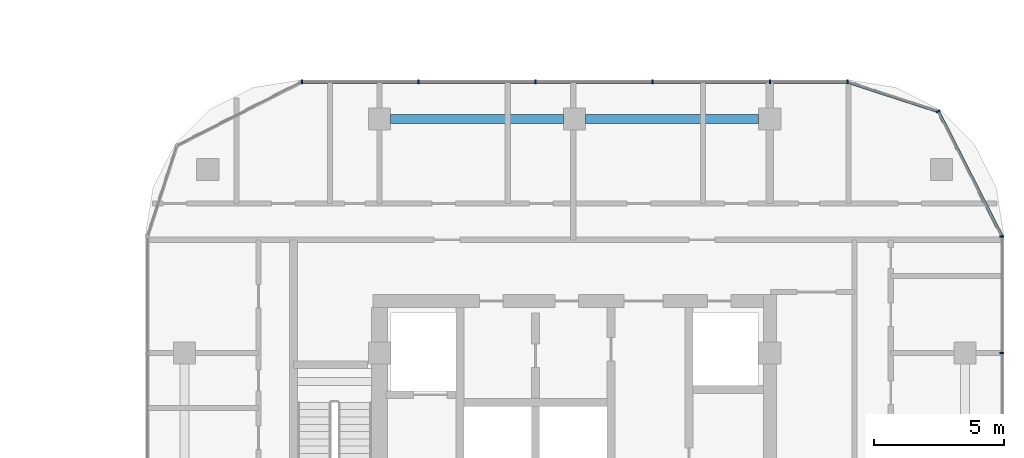
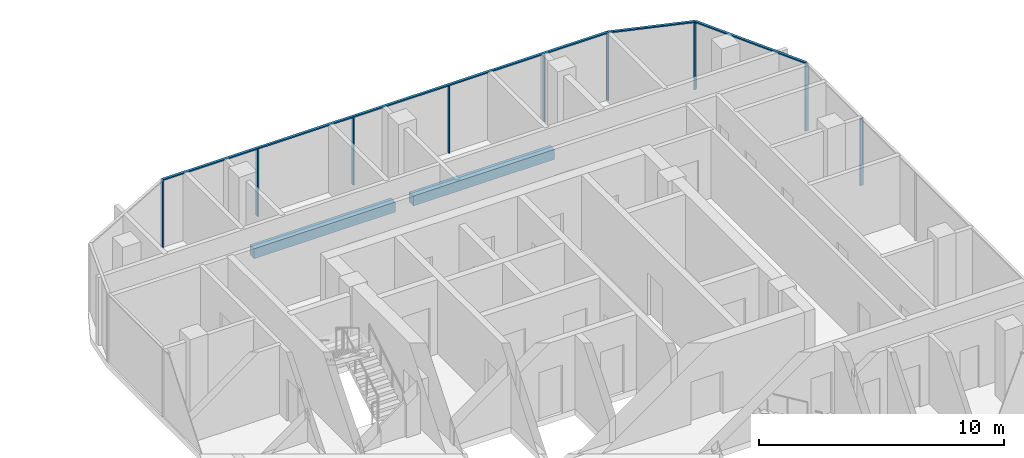
# One storey, part 11 of 31: 12 members, 2 beams, 3 elements without a shape of their own.
"""IFC4 building model written with IfcOpenShell, lengths in metres."""

from ifc_helpers import new_model, si_unit, direction, frame, origin, origin_2d, place, context, subcontext, project, spatial, rectangle, extrude, material, material_profile, profile_set, type_object, element, aggregate, save


model = new_model("IFC4")

# Units and contexts
model_context = context("Model", 3, precision=1e-05, world=origin(), true_north=direction((0.0, 1.0)))
body_context = subcontext(model_context, "Body", "Model", "MODEL_VIEW")
ifc_project = project(units=[si_unit("LENGTHUNIT", "METRE"), si_unit("AREAUNIT", "SQUARE_METRE"), si_unit("VOLUMEUNIT", "CUBIC_METRE"), si_unit("PLANEANGLEUNIT", "RADIAN"), si_unit("MASSUNIT", "GRAM", prefix="KILO")], contexts=[model_context])

# Site, building, storey
site_placement = place(None, origin())
site = spatial("IfcSite", under=ifc_project, at=site_placement, CompositionType="ELEMENT")
building_placement = place(site_placement, origin())
building = spatial("IfcBuilding", under=site, at=building_placement, Name="Ogive Portal Towers", CompositionType="ELEMENT")
storey_placement = place(building_placement, frame((0.0, 0.0, 74.199951171875)))
storey = spatial("IfcBuildingStorey", under=building, at=storey_placement, Name="L17", CompositionType="ELEMENT", Elevation=74.199951171875)

# Curtain wall, members
ifc_material_1 = material(Name="Glass, clear low-iron insulated glazing", Category="glass")
curtain_wall_type = type_object("IfcCurtainWallType", Name="CW RESIDENCES RIBBON", PredefinedType="NOTDEFINED", material=ifc_material_1)
curtain_wall_1_placement = place(storey_placement, origin())
curtain_wall_1 = element("IfcCurtainWall", 1, at=curtain_wall_1_placement, inside=storey, type_object=curtain_wall_type, Name="B:L17:f05:cw0", PredefinedType="NOTDEFINED")
ifc_material_2 = material(Name="Aluminium 6063 anodised", Category="aluminium")
ifc_material_profile_1 = material_profile(ifc_material_2, rectangle(XDim=0.159912109375, YDim=0.06005859375, at=origin_2d()), Name="AL 60x160")
ifc_profile_set_1 = profile_set([ifc_material_profile_1], Name="Aluminium 6063 anodised")
member_type_1 = type_object("IfcMemberType", Name="CW MULLION 60x160", PredefinedType="MULLION", material=ifc_profile_set_1)
member_1_placement = place(storey_placement, frame((152.919921875, 35.5, 0.0), z_axis=(0.0, 0.0, 1.0), x_axis=(-1.0, 0.0, 0.0)))
member_1 = element("IfcMember", 2, at=member_1_placement, type_object=member_type_1, Name="mullion", PredefinedType="MULLION", context=body_context, shape_type="SweptSolid", body=[
    extrude(rectangle(XDim=0.159912109375, YDim=0.06005859375, at=origin_2d()), origin(), (0.0, 0.0, 1.0), 3.340087890625),
])
member_2_placement = place(storey_placement, frame((152.919921875, 39.980712890625, 0.0), z_axis=(0.0, 0.0, 1.0), x_axis=(-1.0, 0.0, 0.0)))
member_2 = element("IfcMember", 3, at=member_2_placement, type_object=member_type_1, Name="mullion", PredefinedType="MULLION", context=body_context, shape_type="SweptSolid", body=[
    extrude(rectangle(XDim=0.159912109375, YDim=0.06005859375, at=origin_2d()), origin(), (0.0, 0.0, 1.0), 3.340087890625),
])
aggregate(curtain_wall_1, [member_1, member_2])

curtain_wall_2_placement = place(storey_placement, origin())
curtain_wall_2 = element("IfcCurtainWall", 4, at=curtain_wall_2_placement, inside=storey, type_object=curtain_wall_type, Name="B:L17:f08:cw0", PredefinedType="NOTDEFINED")
member_3_placement = place(storey_placement, frame((146.9873046875, 45.919921875, 0.0), z_axis=(0.0, 0.0, 1.0), x_axis=(0.0, -1.0, 0.0)))
member_3 = element("IfcMember", 5, at=member_3_placement, type_object=member_type_1, Name="mullion", PredefinedType="MULLION", context=body_context, shape_type="SweptSolid", body=[
    extrude(rectangle(XDim=0.159912109375, YDim=0.06005859375, at=origin_2d()), origin(), (0.0, 0.0, 1.0), 3.340087890625),
])
member_4_placement = place(storey_placement, frame((144.0, 45.919921875, 0.0), z_axis=(0.0, 0.0, 1.0), x_axis=(0.0, -1.0, 0.0)))
member_4 = element("IfcMember", 6, at=member_4_placement, type_object=member_type_1, Name="mullion", PredefinedType="MULLION", context=body_context, shape_type="SweptSolid", body=[
    extrude(rectangle(XDim=0.159912109375, YDim=0.06005859375, at=origin_2d()), origin(), (0.0, 0.0, 1.0), 3.340087890625),
])
member_5_placement = place(storey_placement, frame((139.5, 45.919921875, 0.0), z_axis=(0.0, 0.0, 1.0), x_axis=(0.0, -1.0, 0.0)))
member_5 = element("IfcMember", 7, at=member_5_placement, type_object=member_type_1, Name="mullion", PredefinedType="MULLION", context=body_context, shape_type="SweptSolid", body=[
    extrude(rectangle(XDim=0.159912109375, YDim=0.06005859375, at=origin_2d()), origin(), (0.0, 0.0, 1.0), 3.340087890625),
])
member_6_placement = place(storey_placement, frame((135.0, 45.919921875, 0.0), z_axis=(0.0, 0.0, 1.0), x_axis=(0.0, -1.0, 0.0)))
member_6 = element("IfcMember", 8, at=member_6_placement, type_object=member_type_1, Name="mullion", PredefinedType="MULLION", context=body_context, shape_type="SweptSolid", body=[
    extrude(rectangle(XDim=0.159912109375, YDim=0.06005859375, at=origin_2d()), origin(), (0.0, 0.0, 1.0), 3.340087890625),
])
member_7_placement = place(storey_placement, frame((130.5, 45.919921875, 0.0), z_axis=(0.0, 0.0, 1.0), x_axis=(0.0, -1.0, 0.0)))
member_7 = element("IfcMember", 9, at=member_7_placement, type_object=member_type_1, Name="mullion", PredefinedType="MULLION", context=body_context, shape_type="SweptSolid", body=[
    extrude(rectangle(XDim=0.159912109375, YDim=0.06005859375, at=origin_2d()), origin(), (0.0, 0.0, 1.0), 3.340087890625),
])
member_8_placement = place(storey_placement, frame((126.019287109375, 45.919921875, 0.0), z_axis=(0.0, 0.0, 1.0), x_axis=(0.0, -1.0, 0.0)))
member_8 = element("IfcMember", 10, at=member_8_placement, type_object=member_type_1, Name="mullion", PredefinedType="MULLION", context=body_context, shape_type="SweptSolid", body=[
    extrude(rectangle(XDim=0.159912109375, YDim=0.06005859375, at=origin_2d()), origin(), (0.0, 0.0, 1.0), 3.340087890625),
])

# Curtain wall, member
curtain_wall_3_placement = place(storey_placement, origin())
curtain_wall_3 = element("IfcCurtainWall", 11, at=curtain_wall_3_placement, inside=storey, type_object=curtain_wall_type, Name="B:L17:f06:cwa", PredefinedType="NOTDEFINED")
member_9_placement = place(storey_placement, frame((150.470458984375, 44.788330078125, 0.0), z_axis=(0.0, 0.0, 1.0), x_axis=(-0.891006524188, -0.45399049974, 0.0)))
member_9 = element("IfcMember", 12, at=member_9_placement, type_object=member_type_1, Name="mullion", PredefinedType="MULLION", context=body_context, shape_type="SweptSolid", body=[
    extrude(rectangle(XDim=0.159912109375, YDim=0.06005859375, at=origin_2d()), origin(), (0.0, 0.0, 1.0), 3.340087890625),
])

# Member
ifc_material_profile_2 = material_profile(ifc_material_2, rectangle(XDim=0.1201171875, YDim=0.06005859375, at=origin_2d()), Name="AL 120x60")
ifc_profile_set_2 = profile_set([ifc_material_profile_2], Name="Aluminium 6063 anodised")
member_type_2 = type_object("IfcMemberType", Name="CW TRANSOM 60x120", PredefinedType="USERDEFINED", material=ifc_profile_set_2)
member_10_placement = place(storey_placement, frame((146.9873046875, 45.919921875, 3.3701171875), z_axis=(-1.0, 0.0, 0.0), x_axis=(0.0, -1.0, 0.0)))
member_10 = element("IfcMember", 13, at=member_10_placement, type_object=member_type_2, Name="transom", ObjectType="TRANSOM", PredefinedType="USERDEFINED", context=body_context, shape_type="SweptSolid", body=[
    extrude(rectangle(XDim=0.1201171875, YDim=0.06005859375, at=origin_2d()), origin(), (0.0, 0.0, 1.0), 20.968017578125),
])

aggregate(curtain_wall_2, [member_10, member_3, member_4, member_5, member_6, member_7, member_8])

member_11_placement = place(storey_placement, frame((152.919921875, 39.980712890625, 3.3701171875), z_axis=(-0.453969839149, 0.891017050983, 0.0), x_axis=(-0.891017050983, -0.453969839149, 0.0)))
member_11 = element("IfcMember", 14, at=member_11_placement, type_object=member_type_2, Name="transom", ObjectType="TRANSOM", PredefinedType="USERDEFINED", context=body_context, shape_type="SweptSolid", body=[
    extrude(rectangle(XDim=0.1201171875, YDim=0.06005859375, at=origin_2d()), origin(), (0.0, 0.0, 1.0), 5.395751953125),
])

member_12_placement = place(storey_placement, frame((150.470458984375, 44.788330078125, 3.3701171875), z_axis=(-0.951068844598, 0.308979049184, 0.0), x_axis=(-0.308979049184, -0.951068844598, 0.0)))
member_12 = element("IfcMember", 15, at=member_12_placement, type_object=member_type_2, Name="transom", ObjectType="TRANSOM", PredefinedType="USERDEFINED", context=body_context, shape_type="SweptSolid", body=[
    extrude(rectangle(XDim=0.1201171875, YDim=0.06005859375, at=origin_2d()), origin(), (0.0, 0.0, 1.0), 3.662353515625),
])

aggregate(curtain_wall_3, [member_11, member_12, member_9])

# Beams
ifc_material_3 = material(Name="Concrete C50/60", Category="concrete")
ifc_material_profile_3 = material_profile(ifc_material_3, rectangle(XDim=0.35009765625, YDim=0.5, at=origin_2d()), Name="RC 350x500")
ifc_profile_set_3 = profile_set([ifc_material_profile_3], Name="Concrete C50/60")
beam_type = type_object("IfcBeamType", Name="SPANDREL BEAM RC 350x500", PredefinedType="BEAM", material=ifc_profile_set_3)
for number, where, z_axis, x_axis, name in (
    (16, (143.574951171875, 44.5, -0.550048828125), (-1.0, 0.0, 0.0), (0.0, -1.0, 0.0), "Spandrel beam L17"),
    (17, (136.074951171875, 44.5, -0.550048828125), (-1.0, 0.0, 0.0), (0.0, -1.0, 0.0), "Spandrel beam L17"),
):
    element("IfcBeam", number, at=place(storey_placement, frame(where, z_axis=z_axis, x_axis=x_axis)), inside=storey, type_object=beam_type, Name=name, PredefinedType="BEAM", context=body_context, shape_type="SweptSolid", body=[
        extrude(rectangle(XDim=0.35009765625, YDim=0.5, at=origin_2d()), origin(), (0.0, 0.0, 1.0), 6.64990234375),
    ])

save(model, "model.ifc")
